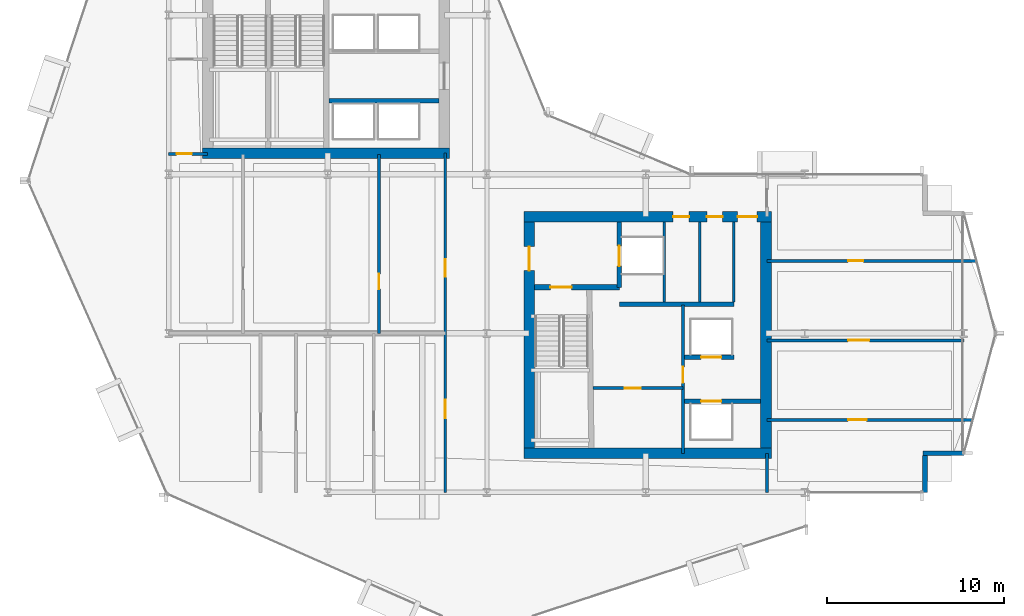
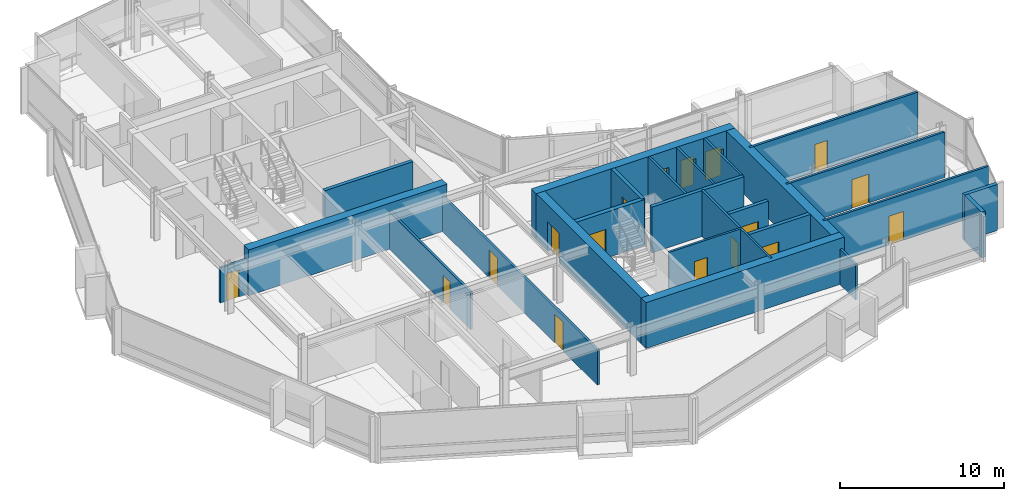
# One storey, part 22 of 29: 25 walls, 17 doors, 17 openings.
"""IFC4 building model written with IfcOpenShell, lengths in metres."""

from ifc_helpers import new_model, si_unit, direction, frame, frame_2d, origin, place, context, subcontext, project, spatial, rectangle, extrude, material, layer, layer_set, type_object, element, fill, save


model = new_model("IFC4")

# Units and contexts
model_context = context("Model", 3, precision=1e-05, world=origin(), true_north=direction((0.0, 1.0)))
body_context = subcontext(model_context, "Body", "Model", "MODEL_VIEW")
ifc_project = project(units=[si_unit("LENGTHUNIT", "METRE"), si_unit("AREAUNIT", "SQUARE_METRE"), si_unit("VOLUMEUNIT", "CUBIC_METRE"), si_unit("PLANEANGLEUNIT", "RADIAN"), si_unit("MASSUNIT", "GRAM", prefix="KILO")], contexts=[model_context])

# Site, building, storey
site_placement = place(None, origin())
site = spatial("IfcSite", under=ifc_project, at=site_placement, CompositionType="ELEMENT")
building_placement = place(site_placement, origin())
building = spatial("IfcBuilding", under=site, at=building_placement, Name="Solvaryn Broadcast Tower", CompositionType="ELEMENT")
storey_placement = place(building_placement, frame((0.0, 0.0, 124.800048828125)))
storey = spatial("IfcBuildingStorey", under=building, at=storey_placement, Name="L30", CompositionType="ELEMENT", Elevation=124.800048828125)

# Walls
ifc_material_1 = material(Name="Concrete f'c 70 MPa", Category="concrete")
ifc_layer_1 = layer(ifc_material_1, 0.60009765625)
ifc_layer_set_1 = layer_set([ifc_layer_1], Name="CW-SHEAR-600")
wall_type_1 = type_object("IfcWallType", Name="CW-SHEAR-600", PredefinedType="SHEAR", material=ifc_layer_set_1)
for number, where, z_axis, x_axis, name in (
    (1, (10.89990234375, 28.199951171875, 0.0), (0.0, 0.0, 1.0), (1.0, 0.0, 0.0), "L30 West Core South Shear Wall"),
    (2, (29.10009765625, 11.199951171875, 0.0), (0.0, 0.0, 1.0), (1.0, 0.0, 0.0), "L30 East Core South Shear Wall"),
):
    element("IfcWall", number, at=place(storey_placement, frame(where, z_axis=z_axis, x_axis=x_axis)), inside=storey, type_object=wall_type_1, Name=name, PredefinedType="SHEAR", context=body_context, shape_type="SweptSolid", body=[
        extrude(rectangle(XDim=14.0, YDim=0.60009765625, at=frame_2d((7.0, 0.0))), origin(), (0.0, 0.0, 1.0), 3.419921875),
    ])

# Wall, openings, doors
wall_1_placement = place(storey_placement, frame((43.10009765625, 24.60009765625, 0.0), z_axis=(0.0, 0.0, 1.0), x_axis=(-1.0, 0.0, 0.0)))
wall_1 = element("IfcWall", 3, at=wall_1_placement, inside=storey, type_object=wall_type_1, Name="L30 East Core North Shear Wall", PredefinedType="SHEAR", context=body_context, shape_type="SweptSolid", body=[
    extrude(rectangle(XDim=14.0, YDim=0.60009765625, at=frame_2d((7.0, 0.0))), origin(), (0.0, 0.0, 1.0), 3.419921875),
])
opening_1_placement = place(wall_1_placement, frame((0.800048828125, 0.0, 0.0)))
opening_1 = element("IfcOpeningElement", 4, at=opening_1_placement, cuts=wall_1, Name="Opening FD90C", PredefinedType="OPENING", context=body_context, shape_type="SweptSolid", body=[
    extrude(rectangle(XDim=1.10009765625, YDim=2.14990234375, at=frame_2d((0.550048828125, 1.074951171875))), frame((0.0, 0.31005859375, 0.0), z_axis=(0.0, -1.0, 0.0), x_axis=(1.0, 0.0, 0.0)), (0.0, 0.0, 1.0), 0.6201171875),
])
opening_2_placement = place(wall_1_placement, frame((2.75, 0.0, 0.0)))
opening_2 = element("IfcOpeningElement", 5, at=opening_2_placement, cuts=wall_1, Name="Opening FD60C", PredefinedType="OPENING", context=body_context, shape_type="SweptSolid", body=[
    extrude(rectangle(XDim=0.89990234375, YDim=2.10009765625, at=frame_2d((0.449951171875, 1.050048828125))), frame((0.0, 0.31005859375, 0.0), z_axis=(0.0, -1.0, 0.0), x_axis=(1.0, 0.0, 0.0)), (0.0, 0.0, 1.0), 0.6201171875),
])
opening_3_placement = place(wall_1_placement, frame((4.64990234375, 0.0, 0.0)))
opening_3 = element("IfcOpeningElement", 6, at=opening_3_placement, cuts=wall_1, Name="Opening FD60C", PredefinedType="OPENING", context=body_context, shape_type="SweptSolid", body=[
    extrude(rectangle(XDim=0.89990234375, YDim=2.10009765625, at=frame_2d((0.449951171875, 1.050048828125))), frame((0.0, 0.31005859375, 0.0), z_axis=(0.0, -1.0, 0.0), x_axis=(1.0, 0.0, 0.0)), (0.0, 0.0, 1.0), 0.6201171875),
])
ifc_material_2 = material(Name="Flush Acoustic Steel and Timber Door Assembly", Category="steel")
door_type_1 = type_object("IfcDoorType", Name="FD60-SERV-900X2100", OperationType="NOTDEFINED", PredefinedType="DOOR", material=ifc_material_2)
door_1_placement = place(opening_2_placement, origin())
door_1 = element("IfcDoor", 7, at=door_1_placement, inside=storey, type_object=door_type_1, Name="L30 Staff Restroom Door", OperationType="SINGLE_SWING_LEFT", OverallHeight=2.10009765625, OverallWidth=0.89990234375, PredefinedType="DOOR", context=body_context, shape_type="SweptSolid", body=[
    extrude(rectangle(XDim=0.89990234375, YDim=2.10009765625, at=frame_2d((0.449951171875, 1.050048828125))), frame((0.0, 0.02490234375, 0.0), z_axis=(0.0, -1.0, 0.0), x_axis=(1.0, 0.0, 0.0)), (0.0, 0.0, 1.0), 0.050048828125),
])
fill(opening_2, door_1)
door_2_placement = place(opening_3_placement, origin())
door_2 = element("IfcDoor", 8, at=door_2_placement, inside=storey, type_object=door_type_1, Name="L30 Accessible WC Door", OperationType="SINGLE_SWING_RIGHT", OverallHeight=2.10009765625, OverallWidth=0.89990234375, PredefinedType="DOOR", context=body_context, shape_type="SweptSolid", body=[
    extrude(rectangle(XDim=0.89990234375, YDim=2.10009765625, at=frame_2d((0.449951171875, 1.050048828125))), frame((0.0, 0.02490234375, 0.0), z_axis=(0.0, -1.0, 0.0), x_axis=(1.0, 0.0, 0.0)), (0.0, 0.0, 1.0), 0.050048828125),
])
fill(opening_3, door_2)
ifc_material_3 = material(Name="Flush Acoustic Steel and Timber Door Assembly", Category="steel")
door_type_2 = type_object("IfcDoorType", Name="FD90-PLANT-1100X2150", OperationType="NOTDEFINED", PredefinedType="DOOR", material=ifc_material_3)
door_3_placement = place(opening_1_placement, origin())
door_3 = element("IfcDoor", 9, at=door_3_placement, inside=storey, type_object=door_type_2, Name="L30 East Core Lobby Corridor Door", OperationType="SINGLE_SWING_LEFT", OverallHeight=2.14990234375, OverallWidth=1.10009765625, PredefinedType="DOOR", context=body_context, shape_type="SweptSolid", body=[
    extrude(rectangle(XDim=1.10009765625, YDim=2.14990234375, at=frame_2d((0.550048828125, 1.074951171875))), frame((0.0, 0.02490234375, 0.0), z_axis=(0.0, -1.0, 0.0), x_axis=(1.0, 0.0, 0.0)), (0.0, 0.0, 1.0), 0.050048828125),
])
fill(opening_1, door_3)

# Wall, opening, door
wall_2_placement = place(storey_placement, frame((29.39990234375, 24.300048828125, 0.0), z_axis=(0.0, 0.0, 1.0), x_axis=(0.0, -1.0, 0.0)))
wall_2 = element("IfcWall", 10, at=wall_2_placement, inside=storey, type_object=wall_type_1, Name="L30 East Core West Shear Wall", PredefinedType="SHEAR", context=body_context, shape_type="SweptSolid", body=[
    extrude(rectangle(XDim=12.800048828125, YDim=0.60009765625, at=frame_2d((6.39990234375, 0.0))), origin(), (0.0, 0.0, 1.0), 3.419921875),
])
opening_4_placement = place(wall_2_placement, frame((1.39990234375, 0.0, 0.0)))
opening_4 = element("IfcOpeningElement", 11, at=opening_4_placement, cuts=wall_2, Name="Opening FD90B", PredefinedType="OPENING", context=body_context, shape_type="SweptSolid", body=[
    extrude(rectangle(XDim=1.35009765625, YDim=2.14990234375, at=frame_2d((0.675048828125, 1.074951171875))), frame((0.0, 0.31005859375, 0.0), z_axis=(0.0, -1.0, 0.0), x_axis=(1.0, 0.0, 0.0)), (0.0, 0.0, 1.0), 0.6201171875),
])
ifc_material_4 = material(Name="Flush Acoustic Steel and Timber Door Assembly", Category="steel")
door_type_3 = type_object("IfcDoorType", Name="FD90-LOBBY-1350X2150", OperationType="NOTDEFINED", PredefinedType="DOOR", material=ifc_material_4)
door_4_placement = place(opening_4_placement, origin())
door_4 = element("IfcDoor", 12, at=door_4_placement, inside=storey, type_object=door_type_3, Name="L30 East FSAE Lobby Door", OperationType="SINGLE_SWING_RIGHT", OverallHeight=2.14990234375, OverallWidth=1.35009765625, PredefinedType="DOOR", context=body_context, shape_type="SweptSolid", body=[
    extrude(rectangle(XDim=1.35009765625, YDim=2.14990234375, at=frame_2d((0.675048828125, 1.074951171875))), frame((0.0, 0.02490234375, 0.0), z_axis=(0.0, -1.0, 0.0), x_axis=(1.0, 0.0, 0.0)), (0.0, 0.0, 1.0), 0.050048828125),
])
fill(opening_4, door_4)

# Walls
wall_3_placement = place(storey_placement, frame((42.800048828125, 11.5, 0.0), z_axis=(0.0, 0.0, 1.0), x_axis=(0.0, 1.0, 0.0)))
element("IfcWall", 13, at=wall_3_placement, inside=storey, type_object=wall_type_1, Name="L30 East Core East Shear Wall", PredefinedType="SHEAR", context=body_context, shape_type="SweptSolid", body=[
    extrude(rectangle(XDim=12.800048828125, YDim=0.60009765625, at=frame_2d((6.39990234375, 0.0))), origin(), (0.0, 0.0, 1.0), 3.419921875),
])
ifc_material_5 = material(Name="Concrete f'c 50 MPa", Category="concrete")
ifc_layer_2 = layer(ifc_material_5, 0.260009765625)
ifc_layer_set_2 = layer_set([ifc_layer_2], Name="EW-PIER-260")
wall_type_2 = type_object("IfcWallType", Name="EW-PIER-260", PredefinedType="SOLIDWALL", material=ifc_layer_set_2)
wall_4_placement = place(storey_placement, frame((51.800048828125, 9.0, 0.0), z_axis=(0.0, 0.0, 1.0), x_axis=(0.0, 1.0, 0.0)))
element("IfcWall", 14, at=wall_4_placement, inside=storey, type_object=wall_type_2, Name="L30 Notched Corner Pier Wall NSE1", PredefinedType="SOLIDWALL", context=body_context, shape_type="SweptSolid", body=[
    extrude(rectangle(XDim=2.080078125, YDim=0.260009765625, at=frame_2d((1.0400390625, 0.0))), origin(), (0.0, 0.0, 1.0), 3.419921875),
])
wall_5_placement = place(storey_placement, frame((51.679931640625, 11.199951171875, 0.0), z_axis=(0.0, 0.0, 1.0), x_axis=(1.0, 0.0, 0.0)))
element("IfcWall", 15, at=wall_5_placement, inside=storey, type_object=wall_type_2, Name="L30 Notched Corner Pier Wall NSE2", PredefinedType="SOLIDWALL", context=body_context, shape_type="SweptSolid", body=[
    extrude(rectangle(XDim=2.320068359375, YDim=0.260009765625, at=frame_2d((1.16015625, 0.0))), origin(), (0.0, 0.0, 1.0), 3.419921875),
])

# Wall, opening, door
ifc_material_6 = material(Name="Metal-Stud Service Core Partition")
ifc_layer_3 = layer(ifc_material_6, 0.14990234375)
ifc_layer_set_3 = layer_set([ifc_layer_3], Name="IW-PART-150")
wall_type_3 = type_object("IfcWallType", Name="IW-PART-150", PredefinedType="PARTITIONING", material=ifc_layer_set_3)
wall_6_placement = place(storey_placement, frame((33.0, 14.89990234375, 0.0), z_axis=(0.0, 0.0, 1.0), x_axis=(1.0, 0.0, 0.0)))
wall_6 = element("IfcWall", 16, at=wall_6_placement, inside=storey, type_object=wall_type_3, Name="L30 Interior Partition IW-L30-RPL-H", PredefinedType="PARTITIONING", context=body_context, shape_type="SweptSolid", body=[
    extrude(rectangle(XDim=5.10009765625, YDim=0.14990234375, at=frame_2d((2.550048828125, 0.0))), origin(), (0.0, 0.0, 1.0), 3.419921875),
])
opening_5_placement = place(wall_6_placement, frame((1.800048828125, 0.0, 0.0)))
opening_5 = element("IfcOpeningElement", 17, at=opening_5_placement, cuts=wall_6, Name="Opening FD60C", PredefinedType="OPENING", context=body_context, shape_type="SweptSolid", body=[
    extrude(rectangle(XDim=0.89990234375, YDim=2.10009765625, at=frame_2d((0.449951171875, 1.050048828125))), frame((0.0, 0.0849609375, 0.0), z_axis=(0.0, -1.0, 0.0), x_axis=(1.0, 0.0, 0.0)), (0.0, 0.0, 1.0), 0.169921875),
])
door_5_placement = place(opening_5_placement, origin())
door_5 = element("IfcDoor", 18, at=door_5_placement, inside=storey, type_object=door_type_1, Name="L30 Door DR-L30-RPL1", OperationType="SINGLE_SWING_RIGHT", OverallHeight=2.10009765625, OverallWidth=0.89990234375, PredefinedType="DOOR", context=body_context, shape_type="SweptSolid", body=[
    extrude(rectangle(XDim=0.89990234375, YDim=2.10009765625, at=frame_2d((0.449951171875, 1.050048828125))), frame((0.0, 0.02490234375, 0.0), z_axis=(0.0, -1.0, 0.0), x_axis=(1.0, 0.0, 0.0)), (0.0, 0.0, 1.0), 0.050048828125),
])
fill(opening_5, door_5)

wall_7_placement = place(storey_placement, frame((38.10009765625, 11.199951171875, 0.0), z_axis=(0.0, 0.0, 1.0), x_axis=(0.0, 1.0, 0.0)))
wall_7 = element("IfcWall", 19, at=wall_7_placement, inside=storey, type_object=wall_type_3, Name="L30 Interior Partition IW-L30-RPL-E", PredefinedType="PARTITIONING", context=body_context, shape_type="SweptSolid", body=[
    extrude(rectangle(XDim=8.400146484375, YDim=0.14990234375, at=frame_2d((4.2001953125, 0.0))), origin(), (0.0, 0.0, 1.0), 3.419921875),
])
opening_6_placement = place(wall_7_placement, frame((4.0, 0.0, 0.0)))
opening_6 = element("IfcOpeningElement", 20, at=opening_6_placement, cuts=wall_7, Name="Opening FD60C", PredefinedType="OPENING", context=body_context, shape_type="SweptSolid", body=[
    extrude(rectangle(XDim=0.89990234375, YDim=2.10009765625, at=frame_2d((0.449951171875, 1.050048828125))), frame((0.0, 0.0849609375, 0.0), z_axis=(0.0, -1.0, 0.0), x_axis=(1.0, 0.0, 0.0)), (0.0, 0.0, 1.0), 0.169921875),
])
door_6_placement = place(opening_6_placement, origin())
door_6 = element("IfcDoor", 21, at=door_6_placement, inside=storey, type_object=door_type_1, Name="L30 Door DR-L30-RPL2", OperationType="SINGLE_SWING_LEFT", OverallHeight=2.10009765625, OverallWidth=0.89990234375, PredefinedType="DOOR", context=body_context, shape_type="SweptSolid", body=[
    extrude(rectangle(XDim=0.89990234375, YDim=2.10009765625, at=frame_2d((0.449951171875, 1.050048828125))), frame((0.0, 0.02490234375, 0.0), z_axis=(0.0, -1.0, 0.0), x_axis=(1.0, 0.0, 0.0)), (0.0, 0.0, 1.0), 0.050048828125),
])
fill(opening_6, door_6)

# Walls
for number, where, z_axis, x_axis, name in (
    (22, (37.050048828125, 19.780029296875, 0.0), (0.0, 0.0, 1.0), (0.0, 1.0, 0.0), "L30 Interior Partition IW-L30-CE-FL2E"),
    (23, (39.050048828125, 19.780029296875, 0.0), (0.0, 0.0, 1.0), (0.0, 1.0, 0.0), "L30 Interior Partition IW-L30-CE-V1"),
    (24, (40.97998046875, 19.780029296875, 0.0), (0.0, 0.0, 1.0), (0.0, 1.0, 0.0), "L30 Interior Partition IW-L30-CE-V3"),
):
    element("IfcWall", number, at=place(storey_placement, frame(where, z_axis=z_axis, x_axis=x_axis)), inside=storey, type_object=wall_type_3, Name=name, PredefinedType="PARTITIONING", context=body_context, shape_type="SweptSolid", body=[
        extrude(rectangle(XDim=4.52001953125, YDim=0.14990234375, at=frame_2d((2.260009765625, 0.0))), origin(), (0.0, 0.0, 1.0), 3.419921875),
    ])

# Wall, opening, door
ifc_material_7 = material(Name="Metal-Stud Gypsum Office Partition")
ifc_layer_4 = layer(ifc_material_7, 0.159912109375)
ifc_layer_set_4 = layer_set([ifc_layer_4], Name="IW-PART-160")
wall_type_4 = type_object("IfcWallType", Name="IW-PART-160", PredefinedType="PARTITIONING", material=ifc_layer_set_4)
wall_8_placement = place(storey_placement, frame((9.0, 28.14990234375, 0.0), z_axis=(0.0, 0.0, 1.0), x_axis=(1.0, 0.0, 0.0)))
wall_8 = element("IfcWall", 25, at=wall_8_placement, inside=storey, type_object=wall_type_4, Name="L30 Interior Partition IW-L30-WM-S", PredefinedType="PARTITIONING", context=body_context, shape_type="SweptSolid", body=[
    extrude(rectangle(XDim=2.199951171875, YDim=0.159912109375, at=frame_2d((1.10009765625, 0.0))), origin(), (0.0, 0.0, 1.0), 2.634033203125),
])
opening_7_placement = place(wall_8_placement, frame((0.449951171875, 0.0, 0.0)))
opening_7 = element("IfcOpeningElement", 26, at=opening_7_placement, cuts=wall_8, Name="Opening ID07", PredefinedType="OPENING", context=body_context, shape_type="SweptSolid", body=[
    extrude(rectangle(XDim=0.860107421875, YDim=2.050048828125, at=frame_2d((0.43017578125, 1.02490234375))), frame((0.0, 0.090087890625, 0.0), z_axis=(0.0, -1.0, 0.0), x_axis=(1.0, 0.0, 0.0)), (0.0, 0.0, 1.0), 0.179931640625),
])
ifc_material_8 = material(Name="Flush Acoustic Steel and Timber Door Assembly", Category="steel")
door_type_4 = type_object("IfcDoorType", Name="ID-07-860X2050", OperationType="NOTDEFINED", PredefinedType="DOOR", material=ifc_material_8)
door_7_placement = place(opening_7_placement, origin())
door_7 = element("IfcDoor", 27, at=door_7_placement, inside=storey, type_object=door_type_4, Name="L30 Door DR-L30-WM0", OperationType="SINGLE_SWING_LEFT", OverallHeight=2.050048828125, OverallWidth=0.860107421875, PredefinedType="DOOR", context=body_context, shape_type="SweptSolid", body=[
    extrude(rectangle(XDim=0.860107421875, YDim=2.050048828125, at=frame_2d((0.43017578125, 1.02490234375))), frame((0.0, 0.02490234375, 0.0), z_axis=(0.0, -1.0, 0.0), x_axis=(1.0, 0.0, 0.0)), (0.0, 0.0, 1.0), 0.050048828125),
])
fill(opening_7, door_7)

# Wall, openings, doors
wall_9_placement = place(storey_placement, frame((24.64990234375, 9.0, 0.0), z_axis=(0.0, 0.0, 1.0), x_axis=(0.0, 1.0, 0.0)))
wall_9 = element("IfcWall", 28, at=wall_9_placement, inside=storey, type_object=wall_type_4, Name="L30 Interior Partition IW-L30-SW-EB", PredefinedType="PARTITIONING", context=body_context, shape_type="SweptSolid", body=[
    extrude(rectangle(XDim=19.199951171875, YDim=0.159912109375, at=frame_2d((9.60009765625, 0.0))), origin(), (0.0, 0.0, 1.0), 2.634033203125),
])
opening_8_placement = place(wall_9_placement, frame((12.199951171875, 0.0, 0.0)))
opening_8 = element("IfcOpeningElement", 29, at=opening_8_placement, cuts=wall_9, Name="Opening ID02", PredefinedType="OPENING", context=body_context, shape_type="SweptSolid", body=[
    extrude(rectangle(XDim=1.0, YDim=2.10009765625, at=frame_2d((0.5, 1.050048828125))), frame((0.0, 0.090087890625, 0.0), z_axis=(0.0, -1.0, 0.0), x_axis=(1.0, 0.0, 0.0)), (0.0, 0.0, 1.0), 0.179931640625),
])
opening_9_placement = place(wall_9_placement, frame((4.199951171875, 0.0, 0.0)))
opening_9 = element("IfcOpeningElement", 30, at=opening_9_placement, cuts=wall_9, Name="Opening ID03", PredefinedType="OPENING", context=body_context, shape_type="SweptSolid", body=[
    extrude(rectangle(XDim=1.050048828125, YDim=2.14990234375, at=frame_2d((0.52490234375, 1.074951171875))), frame((0.0, 0.090087890625, 0.0), z_axis=(0.0, -1.0, 0.0), x_axis=(1.0, 0.0, 0.0)), (0.0, 0.0, 1.0), 0.179931640625),
])
ifc_material_9 = material(Name="Flush Acoustic Steel and Timber Door Assembly", Category="steel")
door_type_5 = type_object("IfcDoorType", Name="ID-02-1000X2100", OperationType="NOTDEFINED", PredefinedType="DOOR", material=ifc_material_9)
door_8_placement = place(opening_8_placement, origin())
door_8 = element("IfcDoor", 31, at=door_8_placement, inside=storey, type_object=door_type_5, Name="L30 Door DR-L30-SW-EN", OperationType="SINGLE_SWING_LEFT", OverallHeight=2.10009765625, OverallWidth=1.0, PredefinedType="DOOR", context=body_context, shape_type="SweptSolid", body=[
    extrude(rectangle(XDim=1.0, YDim=2.10009765625, at=frame_2d((0.5, 1.050048828125))), frame((0.0, 0.02490234375, 0.0), z_axis=(0.0, -1.0, 0.0), x_axis=(1.0, 0.0, 0.0)), (0.0, 0.0, 1.0), 0.050048828125),
])
fill(opening_8, door_8)
ifc_material_10 = material(Name="Flush Acoustic Steel and Timber Door Assembly", Category="steel")
door_type_6 = type_object("IfcDoorType", Name="ID-03-1050X2150", OperationType="NOTDEFINED", PredefinedType="DOOR", material=ifc_material_10)
door_9_placement = place(opening_9_placement, origin())
door_9 = element("IfcDoor", 32, at=door_9_placement, inside=storey, type_object=door_type_6, Name="L30 Door DR-L30-SW-ES", OperationType="SINGLE_SWING_RIGHT", OverallHeight=2.14990234375, OverallWidth=1.050048828125, PredefinedType="DOOR", context=body_context, shape_type="SweptSolid", body=[
    extrude(rectangle(XDim=1.050048828125, YDim=2.14990234375, at=frame_2d((0.52490234375, 1.074951171875))), frame((0.0, 0.02490234375, 0.0), z_axis=(0.0, -1.0, 0.0), x_axis=(1.0, 0.0, 0.0)), (0.0, 0.0, 1.0), 0.050048828125),
])
fill(opening_9, door_9)

# Wall, opening, door
wall_10_placement = place(storey_placement, frame((20.89990234375, 18.0, 0.0), z_axis=(0.0, 0.0, 1.0), x_axis=(0.0, 1.0, 0.0)))
wall_10 = element("IfcWall", 33, at=wall_10_placement, inside=storey, type_object=wall_type_4, Name="L30 Interior Partition IW-L30-SWN-V2", PredefinedType="PARTITIONING", context=body_context, shape_type="SweptSolid", body=[
    extrude(rectangle(XDim=10.1298828125, YDim=0.159912109375, at=frame_2d((5.06494140625, 0.0))), origin(), (0.0, 0.0, 1.0), 2.7890625),
])
opening_10_placement = place(wall_10_placement, frame((2.5, 0.0, 0.0)))
opening_10 = element("IfcOpeningElement", 34, at=opening_10_placement, cuts=wall_10, Name="Opening ID07", PredefinedType="OPENING", context=body_context, shape_type="SweptSolid", body=[
    extrude(rectangle(XDim=0.860107421875, YDim=2.050048828125, at=frame_2d((0.43017578125, 1.02490234375))), frame((0.0, 0.090087890625, 0.0), z_axis=(0.0, -1.0, 0.0), x_axis=(1.0, 0.0, 0.0)), (0.0, 0.0, 1.0), 0.179931640625),
])
door_10_placement = place(opening_10_placement, origin())
door_10 = element("IfcDoor", 35, at=door_10_placement, inside=storey, type_object=door_type_4, Name="L30 Door DR-L30-SWN-2", OperationType="SINGLE_SWING_RIGHT", OverallHeight=2.050048828125, OverallWidth=0.860107421875, PredefinedType="DOOR", context=body_context, shape_type="SweptSolid", body=[
    extrude(rectangle(XDim=0.860107421875, YDim=2.050048828125, at=frame_2d((0.43017578125, 1.02490234375))), frame((0.0, 0.02490234375, 0.0), z_axis=(0.0, -1.0, 0.0), x_axis=(1.0, 0.0, 0.0)), (0.0, 0.0, 1.0), 0.050048828125),
])
fill(opening_10, door_10)

# Wall
wall_11_placement = place(storey_placement, frame((42.85009765625, 9.0, 0.0), z_axis=(0.0, 0.0, 1.0), x_axis=(0.0, 1.0, 0.0)))
element("IfcWall", 36, at=wall_11_placement, inside=storey, type_object=wall_type_4, Name="L30 Interior Partition IW-L30-SC-E", PredefinedType="PARTITIONING", context=body_context, shape_type="SweptSolid", body=[
    extrude(rectangle(XDim=2.199951171875, YDim=0.159912109375, at=frame_2d((1.10009765625, 0.0))), origin(), (0.0, 0.0, 1.0), 2.634033203125),
])

# Wall, opening, door
wall_12_placement = place(storey_placement, frame((42.85009765625, 13.10009765625, 0.0), z_axis=(0.0, 0.0, 1.0), x_axis=(1.0, 0.0, 0.0)))
wall_12 = element("IfcWall", 37, at=wall_12_placement, inside=storey, type_object=wall_type_4, Name="L30 Interior Partition IW-L30-EW-H1", PredefinedType="PARTITIONING", context=body_context, shape_type="SweptSolid", body=[
    extrude(rectangle(XDim=11.65283203125, YDim=0.159912109375, at=frame_2d((5.826416015625, 0.0))), origin(), (0.0, 0.0, 1.0), 3.419921875),
])
opening_11_placement = place(wall_12_placement, frame((4.60009765625, 0.0, 0.0)))
opening_11 = element("IfcOpeningElement", 38, at=opening_11_placement, cuts=wall_12, Name="Opening ID03", PredefinedType="OPENING", context=body_context, shape_type="SweptSolid", body=[
    extrude(rectangle(XDim=1.050048828125, YDim=2.14990234375, at=frame_2d((0.52490234375, 1.074951171875))), frame((0.0, 0.090087890625, 0.0), z_axis=(0.0, -1.0, 0.0), x_axis=(1.0, 0.0, 0.0)), (0.0, 0.0, 1.0), 0.179931640625),
])
door_11_placement = place(opening_11_placement, origin())
door_11 = element("IfcDoor", 39, at=door_11_placement, inside=storey, type_object=door_type_6, Name="L30 Door DR-L30-EW-1", OperationType="SINGLE_SWING_RIGHT", OverallHeight=2.14990234375, OverallWidth=1.050048828125, PredefinedType="DOOR", context=body_context, shape_type="SweptSolid", body=[
    extrude(rectangle(XDim=1.050048828125, YDim=2.14990234375, at=frame_2d((0.52490234375, 1.074951171875))), frame((0.0, 0.02490234375, 0.0), z_axis=(0.0, -1.0, 0.0), x_axis=(1.0, 0.0, 0.0)), (0.0, 0.0, 1.0), 0.050048828125),
])
fill(opening_11, door_11)

wall_13_placement = place(storey_placement, frame((42.85009765625, 17.60009765625, 0.0), z_axis=(0.0, 0.0, 1.0), x_axis=(1.0, 0.0, 0.0)))
wall_13 = element("IfcWall", 40, at=wall_13_placement, inside=storey, type_object=wall_type_4, Name="L30 Interior Partition IW-L30-EW-H2", PredefinedType="PARTITIONING", context=body_context, shape_type="SweptSolid", body=[
    extrude(rectangle(XDim=11.14990234375, YDim=0.159912109375, at=frame_2d((5.574951171875, 0.0))), origin(), (0.0, 0.0, 1.0), 3.419921875),
])
opening_12_placement = place(wall_13_placement, frame((4.60009765625, 0.0, 0.0)))
opening_12 = element("IfcOpeningElement", 41, at=opening_12_placement, cuts=wall_13, Name="Opening ID04", PredefinedType="OPENING", context=body_context, shape_type="SweptSolid", body=[
    extrude(rectangle(XDim=1.199951171875, YDim=2.14990234375, at=frame_2d((0.60009765625, 1.074951171875))), frame((0.0, 0.090087890625, 0.0), z_axis=(0.0, -1.0, 0.0), x_axis=(1.0, 0.0, 0.0)), (0.0, 0.0, 1.0), 0.179931640625),
])
ifc_material_11 = material(Name="Flush Acoustic Steel and Timber Door Assembly", Category="steel")
door_type_7 = type_object("IfcDoorType", Name="ID-04-1200X2150", OperationType="NOTDEFINED", PredefinedType="DOOR", material=ifc_material_11)
door_12_placement = place(opening_12_placement, origin())
door_12 = element("IfcDoor", 42, at=door_12_placement, inside=storey, type_object=door_type_7, Name="L30 Door DR-L30-EW-2", OperationType="SINGLE_SWING_LEFT", OverallHeight=2.14990234375, OverallWidth=1.199951171875, PredefinedType="DOOR", context=body_context, shape_type="SweptSolid", body=[
    extrude(rectangle(XDim=1.199951171875, YDim=2.14990234375, at=frame_2d((0.60009765625, 1.074951171875))), frame((0.0, 0.02490234375, 0.0), z_axis=(0.0, -1.0, 0.0), x_axis=(1.0, 0.0, 0.0)), (0.0, 0.0, 1.0), 0.050048828125),
])
fill(opening_12, door_12)

wall_14_placement = place(storey_placement, frame((42.85009765625, 22.10009765625, 0.0), z_axis=(0.0, 0.0, 1.0), x_axis=(1.0, 0.0, 0.0)))
wall_14 = element("IfcWall", 43, at=wall_14_placement, inside=storey, type_object=wall_type_4, Name="L30 Interior Partition IW-L30-EW-H3", PredefinedType="PARTITIONING", context=body_context, shape_type="SweptSolid", body=[
    extrude(rectangle(XDim=11.864990234375, YDim=0.159912109375, at=frame_2d((5.9326171875, 0.0))), origin(), (0.0, 0.0, 1.0), 3.419921875),
])
opening_13_placement = place(wall_14_placement, frame((4.60009765625, 0.0, 0.0)))
opening_13 = element("IfcOpeningElement", 44, at=opening_13_placement, cuts=wall_14, Name="Opening ID07", PredefinedType="OPENING", context=body_context, shape_type="SweptSolid", body=[
    extrude(rectangle(XDim=0.860107421875, YDim=2.050048828125, at=frame_2d((0.43017578125, 1.02490234375))), frame((0.0, 0.090087890625, 0.0), z_axis=(0.0, -1.0, 0.0), x_axis=(1.0, 0.0, 0.0)), (0.0, 0.0, 1.0), 0.179931640625),
])
door_13_placement = place(opening_13_placement, origin())
door_13 = element("IfcDoor", 45, at=door_13_placement, inside=storey, type_object=door_type_4, Name="L30 Door DR-L30-EW-3", OperationType="SINGLE_SWING_RIGHT", OverallHeight=2.050048828125, OverallWidth=0.860107421875, PredefinedType="DOOR", context=body_context, shape_type="SweptSolid", body=[
    extrude(rectangle(XDim=0.860107421875, YDim=2.050048828125, at=frame_2d((0.43017578125, 1.02490234375))), frame((0.0, 0.02490234375, 0.0), z_axis=(0.0, -1.0, 0.0), x_axis=(1.0, 0.0, 0.0)), (0.0, 0.0, 1.0), 0.050048828125),
])
fill(opening_13, door_13)

# Wall
ifc_material_12 = material(Name="Concrete f'c 60 MPa", Category="concrete")
ifc_layer_5 = layer(ifc_material_12, 0.25)
ifc_layer_set_5 = layer_set([ifc_layer_5], Name="SW-SHAFT-250")
wall_type_5 = type_object("IfcWallType", Name="SW-SHAFT-250", PredefinedType="PARTITIONING", material=ifc_layer_set_5)
wall_15_placement = place(storey_placement, frame((18.070068359375, 31.14990234375, 0.0), z_axis=(0.0, 0.0, 1.0), x_axis=(1.0, 0.0, 0.0)))
element("IfcWall", 46, at=wall_15_placement, inside=storey, type_object=wall_type_5, Name="L30 High-Rise Lift Bank South Wall", PredefinedType="PARTITIONING", context=body_context, shape_type="SweptSolid", body=[
    extrude(rectangle(XDim=6.22998046875, YDim=0.25, at=frame_2d((3.114990234375, 0.0))), origin(), (0.0, 0.0, 1.0), 3.419921875),
])

# Wall, opening, door
wall_16_placement = place(storey_placement, frame((34.5, 20.60009765625, 0.0), z_axis=(0.0, 0.0, 1.0), x_axis=(0.0, 1.0, 0.0)))
wall_16 = element("IfcWall", 47, at=wall_16_placement, inside=storey, type_object=wall_type_5, Name="L30 East FSAE Lobby East Wall", PredefinedType="PARTITIONING", context=body_context, shape_type="SweptSolid", body=[
    extrude(rectangle(XDim=3.699951171875, YDim=0.25, at=frame_2d((1.85009765625, 0.0))), origin(), (0.0, 0.0, 1.0), 3.419921875),
])
opening_14_placement = place(wall_16_placement, frame((1.199951171875, 0.0, 0.0)))
opening_14 = element("IfcOpeningElement", 48, at=opening_14_placement, cuts=wall_16, Name="Opening LD01", PredefinedType="OPENING", context=body_context, shape_type="SweptSolid", body=[
    extrude(rectangle(XDim=1.14990234375, YDim=2.14990234375, at=frame_2d((0.574951171875, 1.074951171875))), frame((0.0, 0.135009765625, 0.0), z_axis=(0.0, -1.0, 0.0), x_axis=(1.0, 0.0, 0.0)), (0.0, 0.0, 1.0), 0.27001953125),
])
ifc_material_13 = material(Name="Flush Acoustic Steel and Timber Door Assembly", Category="steel")
door_type_8 = type_object("IfcDoorType", Name="LD-LIFT-1150X2150", OperationType="NOTDEFINED", PredefinedType="DOOR", material=ifc_material_13)
door_14_placement = place(opening_14_placement, origin())
door_14 = element("IfcDoor", 49, at=door_14_placement, inside=storey, type_object=door_type_8, Name="L30 FL2 Lift Landing Door", OperationType="DOUBLE_DOOR_SLIDING", OverallHeight=2.14990234375, OverallWidth=1.14990234375, PredefinedType="DOOR", context=body_context, shape_type="SweptSolid", body=[
    extrude(rectangle(XDim=1.14990234375, YDim=2.14990234375, at=frame_2d((0.574951171875, 1.074951171875))), frame((0.0, 0.02490234375, 0.0), z_axis=(0.0, -1.0, 0.0), x_axis=(1.0, 0.0, 0.0)), (0.0, 0.0, 1.0), 0.050048828125),
])
fill(opening_14, door_14)

# Wall
wall_17_placement = place(storey_placement, frame((34.5, 19.64990234375, 0.0), z_axis=(0.0, 0.0, 1.0), x_axis=(1.0, 0.0, 0.0)))
element("IfcWall", 50, at=wall_17_placement, inside=storey, type_object=wall_type_5, Name="L30 East Core Restroom South Wall", PredefinedType="PARTITIONING", context=body_context, shape_type="SweptSolid", body=[
    extrude(rectangle(XDim=6.47998046875, YDim=0.25, at=frame_2d((3.239990234375, 0.0))), origin(), (0.0, 0.0, 1.0), 3.419921875),
])

# Wall, opening, door
wall_18_placement = place(storey_placement, frame((38.199951171875, 14.14990234375, 0.0), z_axis=(0.0, 0.0, 1.0), x_axis=(1.0, 0.0, 0.0)))
wall_18 = element("IfcWall", 51, at=wall_18_placement, inside=storey, type_object=wall_type_5, Name="L30 East Lift Bank South Wall", PredefinedType="PARTITIONING", context=body_context, shape_type="SweptSolid", body=[
    extrude(rectangle(XDim=4.300048828125, YDim=0.25, at=frame_2d((2.14990234375, 0.0))), origin(), (0.0, 0.0, 1.0), 3.419921875),
])
opening_15_placement = place(wall_18_placement, frame((0.925048828125, 0.0, 0.0)))
opening_15 = element("IfcOpeningElement", 52, at=opening_15_placement, cuts=wall_18, Name="Opening LD01", PredefinedType="OPENING", context=body_context, shape_type="SweptSolid", body=[
    extrude(rectangle(XDim=1.14990234375, YDim=2.14990234375, at=frame_2d((0.574951171875, 1.074951171875))), frame((0.0, 0.135009765625, 0.0), z_axis=(0.0, -1.0, 0.0), x_axis=(1.0, 0.0, 0.0)), (0.0, 0.0, 1.0), 0.27001953125),
])
door_15_placement = place(opening_15_placement, origin())
door_15 = element("IfcDoor", 53, at=door_15_placement, inside=storey, type_object=door_type_8, Name="L30 PM1 Lift Landing Door", OperationType="DOUBLE_DOOR_SLIDING", OverallHeight=2.14990234375, OverallWidth=1.14990234375, PredefinedType="DOOR", context=body_context, shape_type="SweptSolid", body=[
    extrude(rectangle(XDim=1.14990234375, YDim=2.14990234375, at=frame_2d((0.574951171875, 1.074951171875))), frame((0.0, 0.02490234375, 0.0), z_axis=(0.0, -1.0, 0.0), x_axis=(1.0, 0.0, 0.0)), (0.0, 0.0, 1.0), 0.050048828125),
])
fill(opening_15, door_15)

wall_19_placement = place(storey_placement, frame((40.97998046875, 16.64990234375, 0.0), z_axis=(0.0, 0.0, 1.0), x_axis=(-1.0, 0.0, 0.0)))
wall_19 = element("IfcWall", 54, at=wall_19_placement, inside=storey, type_object=wall_type_5, Name="L30 East Lift Bank North Wall", PredefinedType="PARTITIONING", context=body_context, shape_type="SweptSolid", body=[
    extrude(rectangle(XDim=2.780029296875, YDim=0.25, at=frame_2d((1.39013671875, 0.0))), origin(), (0.0, 0.0, 1.0), 3.419921875),
])
opening_16_placement = place(wall_19_placement, frame((0.705078125, 0.0, 0.0)))
opening_16 = element("IfcOpeningElement", 55, at=opening_16_placement, cuts=wall_19, Name="Opening LD01", PredefinedType="OPENING", context=body_context, shape_type="SweptSolid", body=[
    extrude(rectangle(XDim=1.14990234375, YDim=2.14990234375, at=frame_2d((0.574951171875, 1.074951171875))), frame((0.0, 0.135009765625, 0.0), z_axis=(0.0, -1.0, 0.0), x_axis=(1.0, 0.0, 0.0)), (0.0, 0.0, 1.0), 0.27001953125),
])
door_16_placement = place(opening_16_placement, origin())
door_16 = element("IfcDoor", 56, at=door_16_placement, inside=storey, type_object=door_type_8, Name="L30 PM2 Lift Landing Door", OperationType="DOUBLE_DOOR_SLIDING", OverallHeight=2.14990234375, OverallWidth=1.14990234375, PredefinedType="DOOR", context=body_context, shape_type="SweptSolid", body=[
    extrude(rectangle(XDim=1.14990234375, YDim=2.14990234375, at=frame_2d((0.574951171875, 1.074951171875))), frame((0.0, 0.02490234375, 0.0), z_axis=(0.0, -1.0, 0.0), x_axis=(1.0, 0.0, 0.0)), (0.0, 0.0, 1.0), 0.050048828125),
])
fill(opening_16, door_16)

ifc_material_14 = material(Name="Concrete f'c 70 MPa", Category="concrete")
ifc_layer_6 = layer(ifc_material_14, 0.300048828125)
ifc_layer_set_6 = layer_set([ifc_layer_6], Name="SW-SHAFT-300")
wall_type_6 = type_object("IfcWallType", Name="SW-SHAFT-300", PredefinedType="SHEAR", material=ifc_layer_set_6)
wall_20_placement = place(storey_placement, frame((34.5, 20.60009765625, 0.0), z_axis=(0.0, 0.0, 1.0), x_axis=(-1.0, 0.0, 0.0)))
wall_20 = element("IfcWall", 57, at=wall_20_placement, inside=storey, type_object=wall_type_6, Name="L30 East FSAE Lobby South Wall", PredefinedType="SHEAR", context=body_context, shape_type="SweptSolid", body=[
    extrude(rectangle(XDim=4.800048828125, YDim=0.300048828125, at=frame_2d((2.39990234375, 0.0))), origin(), (0.0, 0.0, 1.0), 3.419921875),
])
opening_17_placement = place(wall_20_placement, frame((2.699951171875, 0.0, 0.0)))
opening_17 = element("IfcOpeningElement", 58, at=opening_17_placement, cuts=wall_20, Name="Opening FD90A", PredefinedType="OPENING", context=body_context, shape_type="SweptSolid", body=[
    extrude(rectangle(XDim=1.199951171875, YDim=2.14990234375, at=frame_2d((0.60009765625, 1.074951171875))), frame((0.0, 0.159912109375, 0.0), z_axis=(0.0, -1.0, 0.0), x_axis=(1.0, 0.0, 0.0)), (0.0, 0.0, 1.0), 0.320068359375),
])
ifc_material_15 = material(Name="Flush Acoustic Steel and Timber Door Assembly", Category="steel")
door_type_9 = type_object("IfcDoorType", Name="FD90-STAIR-1200X2150", OperationType="NOTDEFINED", PredefinedType="DOOR", material=ifc_material_15)
door_17_placement = place(opening_17_placement, origin())
door_17 = element("IfcDoor", 59, at=door_17_placement, inside=storey, type_object=door_type_9, Name="L30 Stair 3 Fire Door", OperationType="SINGLE_SWING_LEFT", OverallHeight=2.14990234375, OverallWidth=1.199951171875, PredefinedType="DOOR", context=body_context, shape_type="SweptSolid", body=[
    extrude(rectangle(XDim=1.199951171875, YDim=2.14990234375, at=frame_2d((0.60009765625, 1.074951171875))), frame((0.0, 0.02490234375, 0.0), z_axis=(0.0, -1.0, 0.0), x_axis=(1.0, 0.0, 0.0)), (0.0, 0.0, 1.0), 0.050048828125),
])
fill(opening_17, door_17)

save(model, "model.ifc")
